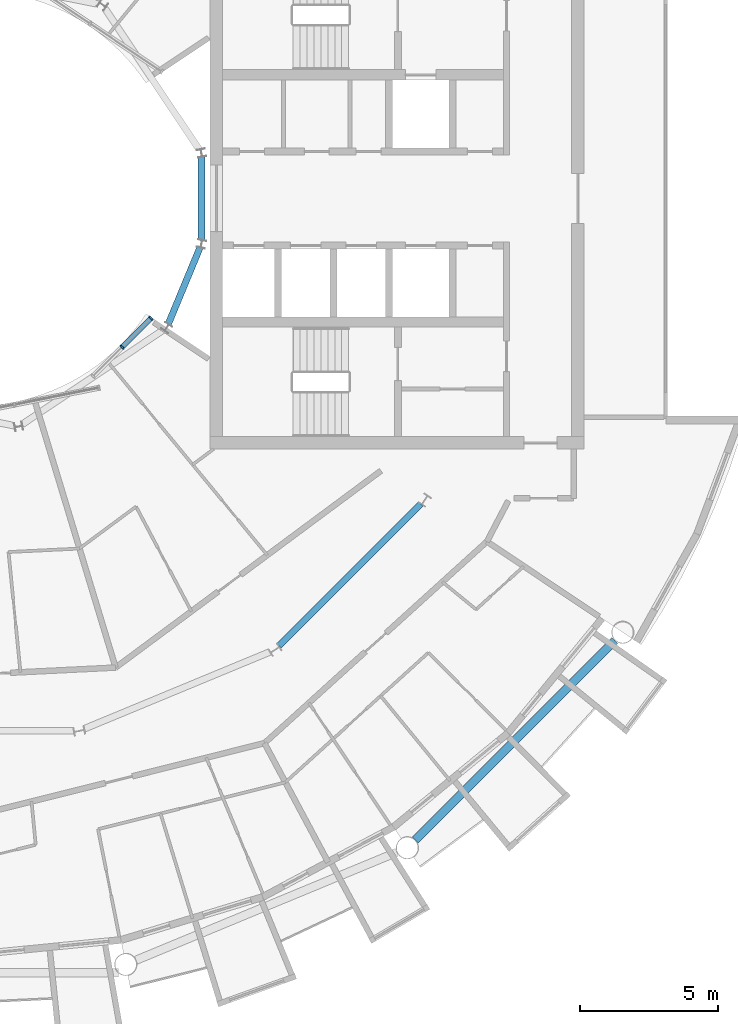
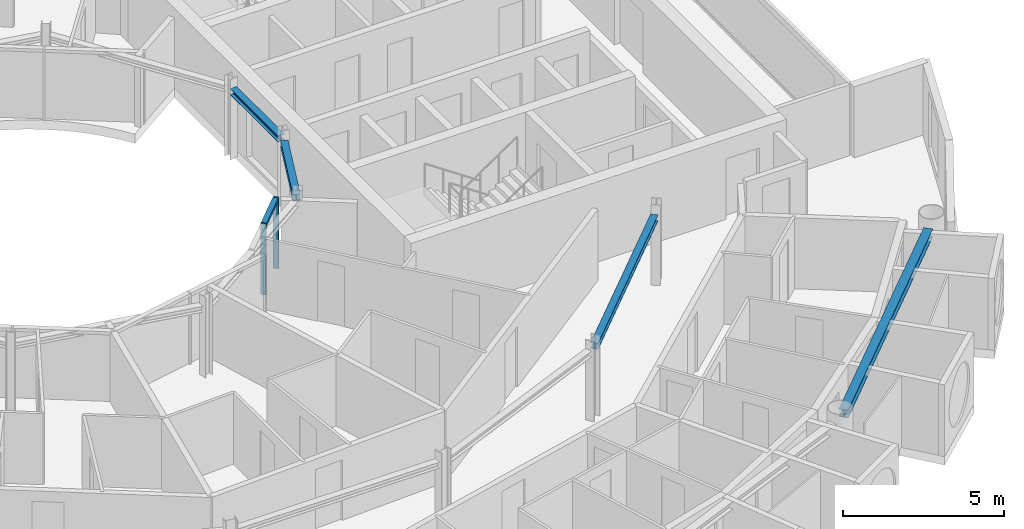
# One storey, part 8 of 29: 4 beams, 3 members, 1 element without a shape of its own.
"""IFC4 building model written with IfcOpenShell, lengths in metres."""

from ifc_helpers import new_model, si_unit, direction, frame, origin, origin_2d, place, context, subcontext, project, spatial, rectangle, i_section, extrude, material, layer, layer_set, material_profile, profile_set, type_object, element, aggregate, save


model = new_model("IFC4")

# Units and contexts
model_context = context("Model", 3, precision=1e-05, world=origin(), true_north=direction((0.0, 1.0)))
body_context = subcontext(model_context, "Body", "Model", "MODEL_VIEW")
ifc_project = project(units=[si_unit("LENGTHUNIT", "METRE"), si_unit("AREAUNIT", "SQUARE_METRE"), si_unit("VOLUMEUNIT", "CUBIC_METRE"), si_unit("PLANEANGLEUNIT", "RADIAN"), si_unit("MASSUNIT", "GRAM", prefix="KILO")], contexts=[model_context])

# Site, building, storey
site_placement = place(None, origin())
site = spatial("IfcSite", under=ifc_project, at=site_placement, CompositionType="ELEMENT")
building_placement = place(site_placement, origin())
building = spatial("IfcBuilding", under=site, at=building_placement, Name="Maasbend Ring Residences", CompositionType="ELEMENT")
storey_placement = place(building_placement, frame((0.0, 0.0, 193.25)))
storey = spatial("IfcBuildingStorey", under=building, at=storey_placement, Name="L55", CompositionType="ELEMENT", Elevation=193.25)

# Curtain wall, members
ifc_material_1 = material(Name="Aluminium and clear glass", Category="aluminium")
ifc_layer = layer(ifc_material_1, 0.179931640625)
ifc_layer_set = layer_set([ifc_layer], Name="CW-W")
curtain_wall_type = type_object("IfcCurtainWallType", Name="CW-W", PredefinedType="NOTDEFINED", material=ifc_layer_set)
curtain_wall_placement = place(storey_placement, origin())
curtain_wall = element("IfcCurtainWall", 1, at=curtain_wall_placement, inside=storey, type_object=curtain_wall_type, Name="Well curtain wall S3", PredefinedType="NOTDEFINED")
ifc_material_2 = material(Name="Aluminium 6063-T6", Category="aluminium")
ifc_material_profile_1 = material_profile(ifc_material_2, rectangle(XDim=0.179931640625, YDim=0.06005859375, at=origin_2d()), Name="AL 180x60")
ifc_profile_set_1 = profile_set([ifc_material_profile_1], Name="Aluminium 6063-T6")
member_type_1 = type_object("IfcMemberType", Name="CWM-W", PredefinedType="MULLION", material=ifc_profile_set_1)
member_1_placement = place(storey_placement, frame((5.366943359375, -5.366943359375, 0.0), z_axis=(0.0, 0.0, 1.0), x_axis=(-0.707106781187, 0.707106781187, 0.0)))
member_1 = element("IfcMember", 2, at=member_1_placement, type_object=member_type_1, Name="Mullion well face", PredefinedType="MULLION", context=body_context, shape_type="SweptSolid", body=[
    extrude(rectangle(XDim=0.179931640625, YDim=0.06005859375, at=origin_2d()), origin(), (0.0, 0.0, 1.0), 2.699951171875),
])
member_2_placement = place(storey_placement, frame((6.413330078125, -4.320556640625, 0.0), z_axis=(0.0, 0.0, 1.0), x_axis=(-0.707106781187, 0.707106781187, 0.0)))
member_2 = element("IfcMember", 3, at=member_2_placement, type_object=member_type_1, Name="Mullion well face", PredefinedType="MULLION", context=body_context, shape_type="SweptSolid", body=[
    extrude(rectangle(XDim=0.179931640625, YDim=0.06005859375, at=origin_2d()), origin(), (0.0, 0.0, 1.0), 2.699951171875),
])
ifc_material_3 = material(Name="Aluminium 6063-T6", Category="aluminium")
ifc_material_profile_2 = material_profile(ifc_material_3, rectangle(XDim=0.179931640625, YDim=0.1201171875, at=origin_2d()), Name="AL 180x120")
ifc_profile_set_2 = profile_set([ifc_material_profile_2], Name="Aluminium 6063-T6")
member_type_2 = type_object("IfcMemberType", Name="CWT-W", PredefinedType="USERDEFINED", material=ifc_profile_set_2)
member_3_placement = place(storey_placement, frame((5.38818359375, -5.345703125, 2.639892578125), z_axis=(0.707106781187, 0.707106781187, 0.0), x_axis=(-0.707106781187, 0.707106781187, 0.0)))
member_3 = element("IfcMember", 4, at=member_3_placement, type_object=member_type_2, Name="Transom well face", ObjectType="TRANSOM", PredefinedType="USERDEFINED", context=body_context, shape_type="SweptSolid", body=[
    extrude(rectangle(XDim=0.179931640625, YDim=0.1201171875, at=origin_2d()), origin(), (0.0, 0.0, 1.0), 1.419677734375),
])
aggregate(curtain_wall, [member_1, member_2, member_3])

# Beams
ifc_material_4 = material(Name="Steel S355J2", Category="steel")
ifc_material_profile_3 = material_profile(ifc_material_4, i_section(OverallWidth=0.239990234375, OverallDepth=0.22998046875, WebThickness=0.007568359375, FlangeThickness=0.011962890625, FilletRadius=0.02099609375, at=origin_2d()), Name="HEA 240")
ifc_profile_set_3 = profile_set([ifc_material_profile_3], Name="Steel S355J2")
beam_type_1 = type_object("IfcBeamType", Name="Corridor ring beam HEA 240", PredefinedType="BEAM", material=ifc_profile_set_3)
beam_1_placement = place(storey_placement, frame((11.033447265625, -16.152587890625, 2.5849609375), z_axis=(0.707106781187, 0.707106781187, 0.0), x_axis=(-0.707106781187, 0.707106781187, 0.0)))
element("IfcBeam", 5, at=beam_1_placement, inside=storey, type_object=beam_type_1, Name="Corridor ring beam", PredefinedType="BEAM", context=body_context, shape_type="SweptSolid", body=[
    extrude(i_section(OverallWidth=0.239990234375, OverallDepth=0.22998046875, WebThickness=0.007568359375, FlangeThickness=0.011962890625, FilletRadius=0.02099609375, at=origin_2d()), origin(), (0.0, 0.0, 1.0), 7.239501953125),
])
ifc_material_5 = material(Name="Steel S355J2", Category="steel")
ifc_material_profile_4 = material_profile(ifc_material_5, i_section(OverallWidth=0.300048828125, OverallDepth=0.300048828125, WebThickness=0.010986328125, FlangeThickness=0.01904296875, FilletRadius=0.027099609375, at=origin_2d()), Name="HEB 300")
ifc_profile_set_4 = profile_set([ifc_material_profile_4], Name="Steel S355J2")
beam_type_2 = type_object("IfcBeamType", Name="Spandrel ring beam HEB 300", PredefinedType="SPANDREL", material=ifc_profile_set_4)
beam_2_placement = place(storey_placement, frame((15.95458984375, -23.159912109375, 2.550048828125), z_axis=(0.707106781187, 0.707106781187, 0.0), x_axis=(-0.707106781187, 0.707106781187, 0.0)))
element("IfcBeam", 6, at=beam_2_placement, inside=storey, type_object=beam_type_2, Name="Spandrel ring beam", PredefinedType="SPANDREL", context=body_context, shape_type="SweptSolid", body=[
    extrude(i_section(OverallWidth=0.300048828125, OverallDepth=0.300048828125, WebThickness=0.010986328125, FlangeThickness=0.01904296875, FilletRadius=0.027099609375, at=origin_2d()), origin(), (0.0, 0.0, 1.0), 10.18994140625),
])
ifc_material_6 = material(Name="Steel S355J2", Category="steel")
ifc_material_profile_5 = material_profile(ifc_material_6, i_section(OverallWidth=0.239990234375, OverallDepth=0.22998046875, WebThickness=0.007568359375, FlangeThickness=0.011962890625, FilletRadius=0.02099609375, at=origin_2d()), Name="HEA 240")
ifc_profile_set_5 = profile_set([ifc_material_profile_5], Name="Steel S355J2")
beam_type_3 = type_object("IfcBeamType", Name="Well edge beam HEA 240", PredefinedType="BEAM", material=ifc_profile_set_5)
beam_3_placement = place(storey_placement, frame((7.041015625, -4.5302734375, 2.5849609375), z_axis=(0.382614534057, 0.923908068115, 0.0), x_axis=(-0.923908068115, 0.382614534057, 0.0)))
element("IfcBeam", 7, at=beam_3_placement, inside=storey, type_object=beam_type_3, Name="Well edge beam", PredefinedType="BEAM", context=body_context, shape_type="SweptSolid", body=[
    extrude(i_section(OverallWidth=0.239990234375, OverallDepth=0.22998046875, WebThickness=0.007568359375, FlangeThickness=0.011962890625, FilletRadius=0.02099609375, at=origin_2d()), origin(), (0.0, 0.0, 1.0), 2.981689453125),
])
beam_4_placement = place(storey_placement, frame((8.238525390625, -1.490966796875, 2.5849609375), z_axis=(0.0, 1.0, 0.0), x_axis=(-1.0, 0.0, 0.0)))
element("IfcBeam", 8, at=beam_4_placement, inside=storey, type_object=beam_type_3, Name="Well edge beam", PredefinedType="BEAM", context=body_context, shape_type="SweptSolid", body=[
    extrude(i_section(OverallWidth=0.239990234375, OverallDepth=0.22998046875, WebThickness=0.007568359375, FlangeThickness=0.011962890625, FilletRadius=0.02099609375, at=origin_2d()), origin(), (0.0, 0.0, 1.0), 2.98193359375),
])

save(model, "model.ifc")
